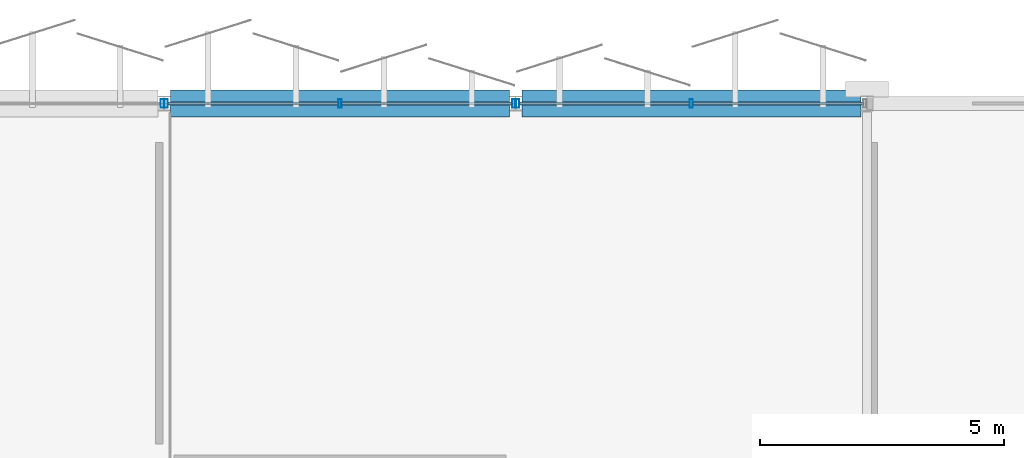
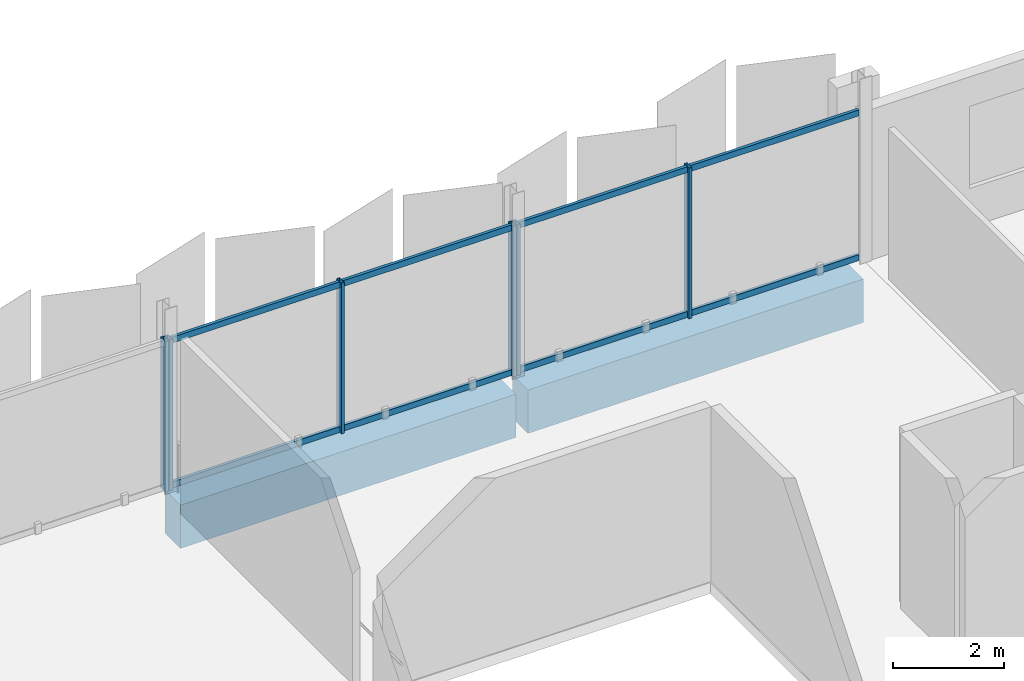
# One storey, part 42 of 77: 14 members, 2 beams, 3 elements without a shape of their own.
"""IFC4 building model written with IfcOpenShell, lengths in metres."""

from ifc_helpers import new_model, si_unit, direction, frame, origin, origin_2d, place, context, subcontext, project, spatial, rectangle, hollow_rectangle, extrude, material, layer, layer_set, material_profile, profile_set, type_object, element, aggregate, save


model = new_model("IFC4")

# Units and contexts
model_context = context("Model", 3, precision=1e-05, world=origin(), true_north=direction((0.0, 1.0)))
body_context = subcontext(model_context, "Body", "Model", "MODEL_VIEW")
ifc_project = project(units=[si_unit("LENGTHUNIT", "METRE"), si_unit("AREAUNIT", "SQUARE_METRE"), si_unit("VOLUMEUNIT", "CUBIC_METRE"), si_unit("PLANEANGLEUNIT", "RADIAN"), si_unit("MASSUNIT", "GRAM", prefix="KILO")], contexts=[model_context])

# Site, building, storey
site_placement = place(None, origin())
site = spatial("IfcSite", under=ifc_project, at=site_placement, CompositionType="ELEMENT")
building_placement = place(site_placement, origin())
building = spatial("IfcBuilding", under=site, at=building_placement, Name="Kangsadwip Square Police Headquarters", CompositionType="ELEMENT")
storey_placement = place(building_placement, frame((0.0, 0.0, 17.550048828125)))
storey = spatial("IfcBuildingStorey", under=building, at=storey_placement, Name="L04", CompositionType="ELEMENT", Elevation=17.550048828125)

# Curtain wall, member
ifc_material_1 = material(Name="Thermally broken anodised aluminium AW-6063-T6", Category="aluminium")
ifc_layer = layer(ifc_material_1, 0.159912109375)
ifc_layer_set = layer_set([ifc_layer], Name="Thermally broken anodised aluminium AW-6063-T6")
curtain_wall_type = type_object("IfcCurtainWallType", Name="UnitisedCw7180x3300", PredefinedType="NOTDEFINED", material=ifc_layer_set)
curtain_wall_1_placement = place(storey_placement, origin())
curtain_wall_1 = element("IfcCurtainWall", 1, at=curtain_wall_1_placement, inside=storey, type_object=curtain_wall_type, Name="Curtain Wall CW-L04-1224-1152", PredefinedType="NOTDEFINED")
ifc_material_2 = material(Name="Thermally broken anodised aluminium AW-6063-T6", Category="aluminium")
ifc_material_profile_1 = material_profile(ifc_material_2, hollow_rectangle(XDim=0.06494140625, YDim=0.179931640625, WallThickness=0.00390625, at=origin_2d()), Name="CWM 180X65X4")
ifc_profile_set_1 = profile_set([ifc_material_profile_1], Name="Thermally broken anodised aluminium AW-6063-T6")
member_type_1 = type_object("IfcMemberType", Name="CwMullion160x65", PredefinedType="MULLION", material=ifc_profile_set_1)
member_1_placement = place(storey_placement, frame((129.5576171875, 115.199951171875, 0.0), z_axis=(0.0, 0.0, 1.0), x_axis=(1.0, 0.0, 0.0)))
member_1 = element("IfcMember", 2, at=member_1_placement, type_object=member_type_1, Name="CW-43 mullion 3", PredefinedType="MULLION", context=body_context, shape_type="SweptSolid", body=[
    extrude(hollow_rectangle(XDim=0.06494140625, YDim=0.179931640625, WallThickness=0.00390625, at=origin_2d()), origin(), (0.0, 0.0, 1.0), 3.300048828125),
])
aggregate(curtain_wall_1, [member_1])

# Curtain wall, members
curtain_wall_2_placement = place(storey_placement, origin())
curtain_wall_2 = element("IfcCurtainWall", 3, at=curtain_wall_2_placement, inside=storey, type_object=curtain_wall_type, Name="Curtain Wall CW-L04-1296-1152", PredefinedType="NOTDEFINED")
member_2_placement = place(storey_placement, frame((129.642578125, 115.199951171875, 0.0), z_axis=(0.0, 0.0, 1.0), x_axis=(1.0, 0.0, 0.0)))
member_2 = element("IfcMember", 4, at=member_2_placement, type_object=member_type_1, Name="CW-43 mullion 1", PredefinedType="MULLION", context=body_context, shape_type="SweptSolid", body=[
    extrude(hollow_rectangle(XDim=0.06494140625, YDim=0.179931640625, WallThickness=0.00390625, at=origin_2d()), origin(), (0.0, 0.0, 1.0), 3.300048828125),
])
member_3_placement = place(storey_placement, frame((133.199951171875, 115.199951171875, 0.0), z_axis=(0.0, 0.0, 1.0), x_axis=(1.0, 0.0, 0.0)))
member_3 = element("IfcMember", 5, at=member_3_placement, type_object=member_type_1, Name="CW-43 mullion 2", PredefinedType="MULLION", context=body_context, shape_type="SweptSolid", body=[
    extrude(hollow_rectangle(XDim=0.06494140625, YDim=0.179931640625, WallThickness=0.00390625, at=origin_2d()), origin(), (0.0, 0.0, 1.0), 3.300048828125),
])
member_4_placement = place(storey_placement, frame((136.757568359375, 115.199951171875, 0.0), z_axis=(0.0, 0.0, 1.0), x_axis=(1.0, 0.0, 0.0)))
member_4 = element("IfcMember", 6, at=member_4_placement, type_object=member_type_1, Name="CW-43 mullion 3", PredefinedType="MULLION", context=body_context, shape_type="SweptSolid", body=[
    extrude(hollow_rectangle(XDim=0.06494140625, YDim=0.179931640625, WallThickness=0.00390625, at=origin_2d()), origin(), (0.0, 0.0, 1.0), 3.300048828125),
])

curtain_wall_3_placement = place(storey_placement, origin())
curtain_wall_3 = element("IfcCurtainWall", 7, at=curtain_wall_3_placement, inside=storey, type_object=curtain_wall_type, Name="Curtain Wall CW-L04-1368-1152", PredefinedType="NOTDEFINED")
member_5_placement = place(storey_placement, frame((136.842529296875, 115.199951171875, 0.0), z_axis=(0.0, 0.0, 1.0), x_axis=(1.0, 0.0, 0.0)))
member_5 = element("IfcMember", 8, at=member_5_placement, type_object=member_type_1, Name="CW-43 mullion 1", PredefinedType="MULLION", context=body_context, shape_type="SweptSolid", body=[
    extrude(hollow_rectangle(XDim=0.06494140625, YDim=0.179931640625, WallThickness=0.00390625, at=origin_2d()), origin(), (0.0, 0.0, 1.0), 3.300048828125),
])
member_6_placement = place(storey_placement, frame((140.39990234375, 115.199951171875, 0.0), z_axis=(0.0, 0.0, 1.0), x_axis=(1.0, 0.0, 0.0)))
member_6 = element("IfcMember", 9, at=member_6_placement, type_object=member_type_1, Name="CW-43 mullion 2", PredefinedType="MULLION", context=body_context, shape_type="SweptSolid", body=[
    extrude(hollow_rectangle(XDim=0.06494140625, YDim=0.179931640625, WallThickness=0.00390625, at=origin_2d()), origin(), (0.0, 0.0, 1.0), 3.300048828125),
])

# Member
ifc_material_3 = material(Name="Thermally broken anodised aluminium AW-6063-T6", Category="aluminium")
ifc_material_profile_2 = material_profile(ifc_material_3, hollow_rectangle(XDim=0.06494140625, YDim=0.1298828125, WallThickness=0.00390625, at=origin_2d()), Name="CWT 130X65X4")
ifc_profile_set_2 = profile_set([ifc_material_profile_2], Name="Thermally broken anodised aluminium AW-6063-T6")
member_type_2 = type_object("IfcMemberType", Name="CwTransom140x60", PredefinedType="USERDEFINED", material=ifc_profile_set_2)
member_7_placement = place(storey_placement, frame((129.675048828125, 115.199951171875, 0.06494140625), z_axis=(1.0, 0.0, 0.0), x_axis=(0.0, 1.0, 0.0)))
member_7 = element("IfcMember", 10, at=member_7_placement, type_object=member_type_2, Name="CW-43 transom 1.1", ObjectType="TRANSOM", PredefinedType="USERDEFINED", context=body_context, shape_type="SweptSolid", body=[
    extrude(hollow_rectangle(XDim=0.06494140625, YDim=0.1298828125, WallThickness=0.00390625, at=origin_2d()), origin(), (0.0, 0.0, 1.0), 3.492431640625),
])

member_8_placement = place(storey_placement, frame((129.675048828125, 115.199951171875, 3.23486328125), z_axis=(1.0, 0.0, 0.0), x_axis=(0.0, 1.0, 0.0)))
member_8 = element("IfcMember", 11, at=member_8_placement, type_object=member_type_2, Name="CW-43 transom 1.2", ObjectType="TRANSOM", PredefinedType="USERDEFINED", context=body_context, shape_type="SweptSolid", body=[
    extrude(hollow_rectangle(XDim=0.06494140625, YDim=0.1298828125, WallThickness=0.00390625, at=origin_2d()), origin(), (0.0, 0.0, 1.0), 3.492431640625),
])

member_9_placement = place(storey_placement, frame((133.232421875, 115.199951171875, 0.06494140625), z_axis=(1.0, 0.0, 0.0), x_axis=(0.0, 1.0, 0.0)))
member_9 = element("IfcMember", 12, at=member_9_placement, type_object=member_type_2, Name="CW-43 transom 2.1", ObjectType="TRANSOM", PredefinedType="USERDEFINED", context=body_context, shape_type="SweptSolid", body=[
    extrude(hollow_rectangle(XDim=0.06494140625, YDim=0.1298828125, WallThickness=0.00390625, at=origin_2d()), origin(), (0.0, 0.0, 1.0), 3.49267578125),
])

member_10_placement = place(storey_placement, frame((133.232421875, 115.199951171875, 3.23486328125), z_axis=(1.0, 0.0, 0.0), x_axis=(0.0, 1.0, 0.0)))
member_10 = element("IfcMember", 13, at=member_10_placement, type_object=member_type_2, Name="CW-43 transom 2.2", ObjectType="TRANSOM", PredefinedType="USERDEFINED", context=body_context, shape_type="SweptSolid", body=[
    extrude(hollow_rectangle(XDim=0.06494140625, YDim=0.1298828125, WallThickness=0.00390625, at=origin_2d()), origin(), (0.0, 0.0, 1.0), 3.49267578125),
])

aggregate(curtain_wall_2, [member_2, member_3, member_4, member_7, member_8, member_9, member_10])

member_11_placement = place(storey_placement, frame((136.875, 115.199951171875, 0.06494140625), z_axis=(1.0, 0.0, 0.0), x_axis=(0.0, 1.0, 0.0)))
member_11 = element("IfcMember", 14, at=member_11_placement, type_object=member_type_2, Name="CW-43 transom 1.1", ObjectType="TRANSOM", PredefinedType="USERDEFINED", context=body_context, shape_type="SweptSolid", body=[
    extrude(hollow_rectangle(XDim=0.06494140625, YDim=0.1298828125, WallThickness=0.00390625, at=origin_2d()), origin(), (0.0, 0.0, 1.0), 3.492431640625),
])

member_12_placement = place(storey_placement, frame((136.875, 115.199951171875, 3.23486328125), z_axis=(1.0, 0.0, 0.0), x_axis=(0.0, 1.0, 0.0)))
member_12 = element("IfcMember", 15, at=member_12_placement, type_object=member_type_2, Name="CW-43 transom 1.2", ObjectType="TRANSOM", PredefinedType="USERDEFINED", context=body_context, shape_type="SweptSolid", body=[
    extrude(hollow_rectangle(XDim=0.06494140625, YDim=0.1298828125, WallThickness=0.00390625, at=origin_2d()), origin(), (0.0, 0.0, 1.0), 3.492431640625),
])

member_13_placement = place(storey_placement, frame((140.4326171875, 115.199951171875, 0.06494140625), z_axis=(1.0, 0.0, 0.0), x_axis=(0.0, 1.0, 0.0)))
member_13 = element("IfcMember", 16, at=member_13_placement, type_object=member_type_2, Name="CW-43 transom 2.1", ObjectType="TRANSOM", PredefinedType="USERDEFINED", context=body_context, shape_type="SweptSolid", body=[
    extrude(hollow_rectangle(XDim=0.06494140625, YDim=0.1298828125, WallThickness=0.00390625, at=origin_2d()), origin(), (0.0, 0.0, 1.0), 3.492431640625),
])

member_14_placement = place(storey_placement, frame((140.4326171875, 115.199951171875, 3.23486328125), z_axis=(1.0, 0.0, 0.0), x_axis=(0.0, 1.0, 0.0)))
member_14 = element("IfcMember", 17, at=member_14_placement, type_object=member_type_2, Name="CW-43 transom 2.2", ObjectType="TRANSOM", PredefinedType="USERDEFINED", context=body_context, shape_type="SweptSolid", body=[
    extrude(hollow_rectangle(XDim=0.06494140625, YDim=0.1298828125, WallThickness=0.00390625, at=origin_2d()), origin(), (0.0, 0.0, 1.0), 3.492431640625),
])

aggregate(curtain_wall_3, [member_5, member_6, member_11, member_12, member_13, member_14])

# Beams
ifc_material_4 = material(Name="Concrete M40 (40 MPa)", Category="concrete")
ifc_material_profile_3 = material_profile(ifc_material_4, rectangle(XDim=0.550048828125, YDim=0.949951171875, at=origin_2d()), Name="RC TG 950X550")
ifc_profile_set_3 = profile_set([ifc_material_profile_3], Name="Concrete M40 (40 MPa)")
beam_type = type_object("IfcBeamType", Name="RcTransfer950x550", PredefinedType="USERDEFINED", material=ifc_profile_set_3)
for number, where, z_axis, x_axis, name in (
    (18, (129.72509765625, 115.199951171875, -0.715087890625), (1.0, 0.0, 0.0), (0.0, 1.0, 0.0), "Beam BM-L04-X-18-16"),
    (19, (136.925048828125, 115.199951171875, -0.715087890625), (1.0, 0.0, 0.0), (0.0, 1.0, 0.0), "Beam BM-L04-X-19-16"),
):
    element("IfcBeam", number, at=place(storey_placement, frame(where, z_axis=z_axis, x_axis=x_axis)), inside=storey, type_object=beam_type, Name=name, ObjectType="TRANSFER_GIRDER", PredefinedType="USERDEFINED", context=body_context, shape_type="SweptSolid", body=[
        extrude(rectangle(XDim=0.550048828125, YDim=0.949951171875, at=origin_2d()), origin(), (0.0, 0.0, 1.0), 6.949951171875),
    ])

save(model, "model.ifc")
